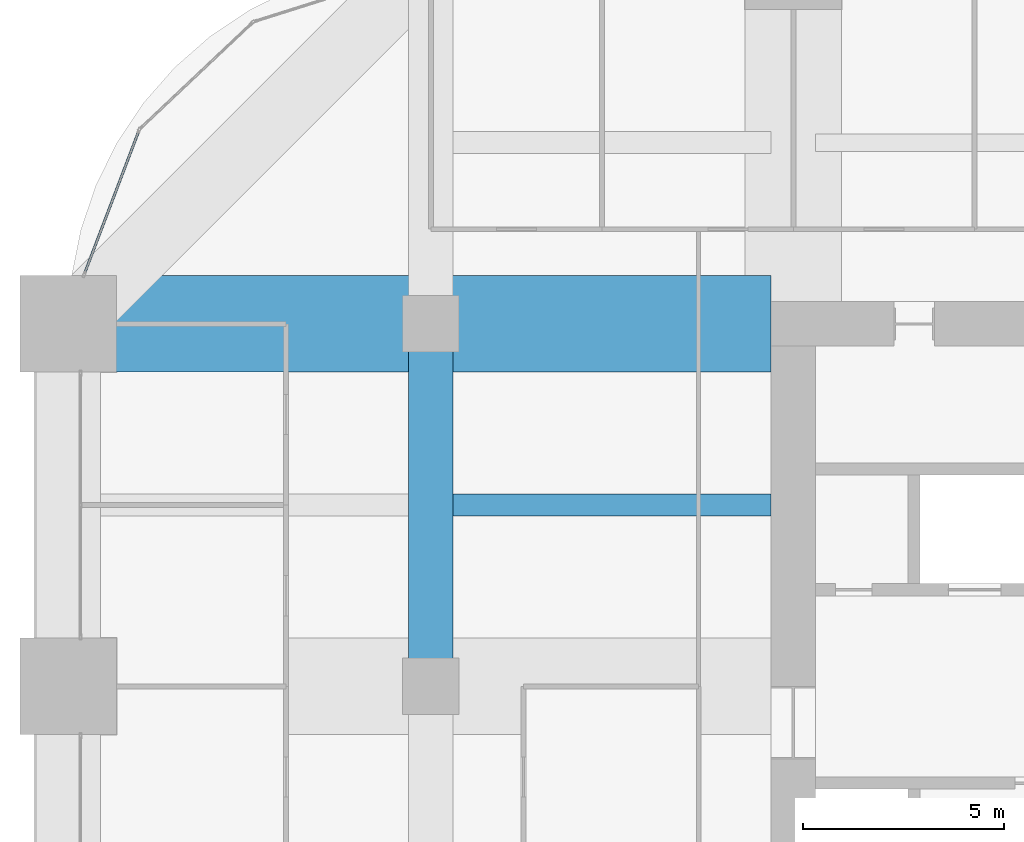
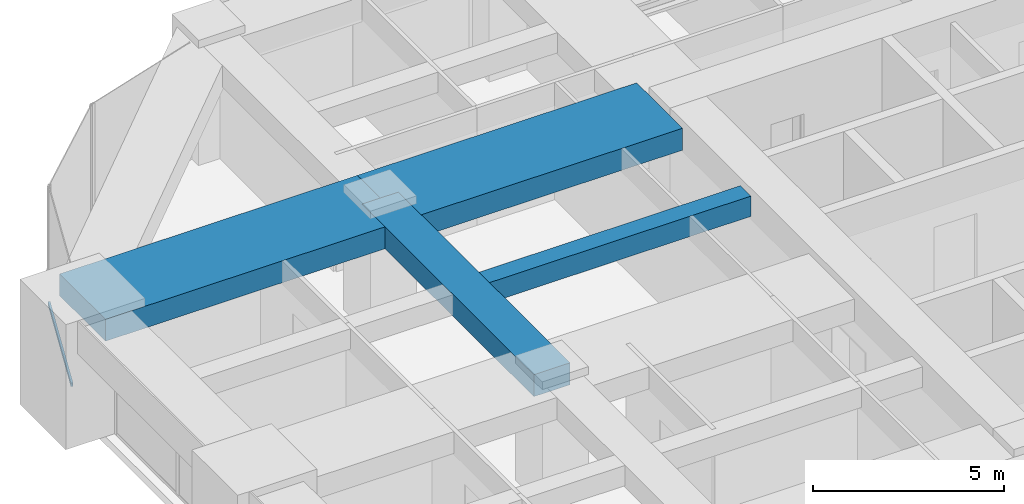
# One storey, part 20 of 35: 4 beams, 1 member, 1 element without a shape of its own.
"""IFC4 building model written with IfcOpenShell, lengths in metres."""

from ifc_helpers import new_model, si_unit, direction, frame, origin, origin_2d, place, context, subcontext, project, spatial, rectangle, hollow_rectangle, extrude, material, material_profile, profile_set, type_object, element, aggregate, save


model = new_model("IFC4")

# Units and contexts
model_context = context("Model", 3, precision=1e-05, world=origin(), true_north=direction((0.0, 1.0)))
body_context = subcontext(model_context, "Body", "Model", "MODEL_VIEW")
ifc_project = project(units=[si_unit("LENGTHUNIT", "METRE"), si_unit("AREAUNIT", "SQUARE_METRE"), si_unit("VOLUMEUNIT", "CUBIC_METRE"), si_unit("PLANEANGLEUNIT", "RADIAN"), si_unit("MASSUNIT", "GRAM", prefix="KILO")], contexts=[model_context])

# Site, building, storey
site_placement = place(None, origin())
site = spatial("IfcSite", under=ifc_project, at=site_placement, CompositionType="ELEMENT")
building_placement = place(site_placement, origin())
building = spatial("IfcBuilding", under=site, at=building_placement, Name="Zorevar Civic Tower", CompositionType="ELEMENT")
storey_placement = place(building_placement, frame((0.0, 0.0, 222.199951171875)))
storey = spatial("IfcBuildingStorey", under=building, at=storey_placement, Name="L54", CompositionType="ELEMENT", Elevation=222.199951171875)

# Beams
ifc_material_1 = material(Name="Concrete C50/60", Category="concrete")
ifc_material_profile_1 = material_profile(ifc_material_1, rectangle(XDim=1.10009765625, YDim=0.699951171875, at=origin_2d()), Name="RC 1100x700")
ifc_profile_set_1 = profile_set([ifc_material_profile_1], Name="Concrete C50/60")
beam_type_1 = type_object("IfcBeamType", Name="Beam RC 1100x700", PredefinedType="BEAM", material=ifc_profile_set_1)
beam_1_placement = place(storey_placement, frame((9.0, 27.0, 3.400146484375), z_axis=(0.0, 1.0, 0.0), x_axis=(-1.0, 0.0, 0.0)))
element("IfcBeam", 1, at=beam_1_placement, inside=storey, type_object=beam_type_1, Name="Girder L55", PredefinedType="BEAM", context=body_context, shape_type="SweptSolid", body=[
    extrude(rectangle(XDim=1.10009765625, YDim=0.699951171875, at=origin_2d()), origin(), (0.0, 0.0, 1.0), 9.0),
])
ifc_material_2 = material(Name="Concrete C50/60", Category="concrete")
ifc_material_profile_2 = material_profile(ifc_material_2, rectangle(XDim=2.39990234375, YDim=0.699951171875, at=origin_2d()), Name="RC 2400x700")
ifc_profile_set_2 = profile_set([ifc_material_profile_2], Name="Concrete C50/60")
beam_type_2 = type_object("IfcBeamType", Name="Beam RC 2400x700", PredefinedType="BEAM", material=ifc_profile_set_2)
beam_2_placement = place(storey_placement, frame((0.0, 36.0, 3.400146484375), z_axis=(1.0, 0.0, 0.0), x_axis=(0.0, 1.0, 0.0)))
element("IfcBeam", 2, at=beam_2_placement, inside=storey, type_object=beam_type_2, Name="Girder L55", PredefinedType="BEAM", context=body_context, shape_type="SweptSolid", body=[
    extrude(rectangle(XDim=2.39990234375, YDim=0.699951171875, at=origin_2d()), origin(), (0.0, 0.0, 1.0), 9.0),
])
beam_3_placement = place(storey_placement, frame((9.0, 36.0, 3.400146484375), z_axis=(1.0, 0.0, 0.0), x_axis=(0.0, 1.0, 0.0)))
element("IfcBeam", 3, at=beam_3_placement, inside=storey, type_object=beam_type_2, Name="Girder L55", PredefinedType="BEAM", context=body_context, shape_type="SweptSolid", body=[
    extrude(rectangle(XDim=2.39990234375, YDim=0.699951171875, at=origin_2d()), origin(), (0.0, 0.0, 1.0), 8.449951171875),
])
ifc_material_3 = material(Name="Concrete C50/60", Category="concrete")
ifc_material_profile_3 = material_profile(ifc_material_3, rectangle(XDim=0.550048828125, YDim=0.64990234375, at=origin_2d()), Name="RC 550x650")
ifc_profile_set_3 = profile_set([ifc_material_profile_3], Name="Concrete C50/60")
beam_type_3 = type_object("IfcBeamType", Name="Beam RC 550x650", PredefinedType="BEAM", material=ifc_profile_set_3)
beam_4_placement = place(storey_placement, frame((9.550048828125, 31.5, 3.425048828125), z_axis=(1.0, 0.0, 0.0), x_axis=(0.0, 1.0, 0.0)))
element("IfcBeam", 4, at=beam_4_placement, inside=storey, type_object=beam_type_3, Name="Secondary beam L55", PredefinedType="BEAM", context=body_context, shape_type="SweptSolid", body=[
    extrude(rectangle(XDim=0.550048828125, YDim=0.64990234375, at=origin_2d()), origin(), (0.0, 0.0, 1.0), 7.89990234375),
])

# Curtain wall, member
ifc_material_4 = material(Name="Dark grey solar-control glass in black aluminium frame", Category="aluminium")
curtain_wall_type = type_object("IfcCurtainWallType", Name="Curtain wall CW4 high zone", PredefinedType="NOTDEFINED", material=ifc_material_4)
curtain_wall_placement = place(storey_placement, origin())
curtain_wall = element("IfcCurtainWall", 5, at=curtain_wall_placement, inside=storey, type_object=curtain_wall_type, Name="CW4 L54", PredefinedType="NOTDEFINED")
ifc_material_5 = material(Name="Aluminium, black anodised", Category="aluminium")
ifc_material_profile_4 = material_profile(ifc_material_5, hollow_rectangle(XDim=0.06005859375, YDim=0.1201171875, WallThickness=0.0029296875, at=origin_2d()), Name="AL 120x60x3")
ifc_profile_set_4 = profile_set([ifc_material_profile_4], Name="Aluminium, black anodised")
member_type = type_object("IfcMemberType", Name="CW4 transom AL 120x60x3", PredefinedType="USERDEFINED", material=ifc_profile_set_4)
member_placement = place(storey_placement, frame((1.74462890625, 40.77685546875, 0.030029296875), z_axis=(-0.355728511406, -0.934589335576, 0.0), x_axis=(0.934589335576, -0.355728511406, 0.0)))
member = element("IfcMember", 6, at=member_placement, type_object=member_type, Name="CW4 sill transom", ObjectType="TRANSOM", PredefinedType="USERDEFINED", context=body_context, shape_type="SweptSolid", body=[
    extrude(hollow_rectangle(XDim=0.06005859375, YDim=0.1201171875, WallThickness=0.0029296875, at=origin_2d()), origin(), (0.0, 0.0, 1.0), 3.76708984375),
])
aggregate(curtain_wall, [member])

save(model, "model.ifc")
